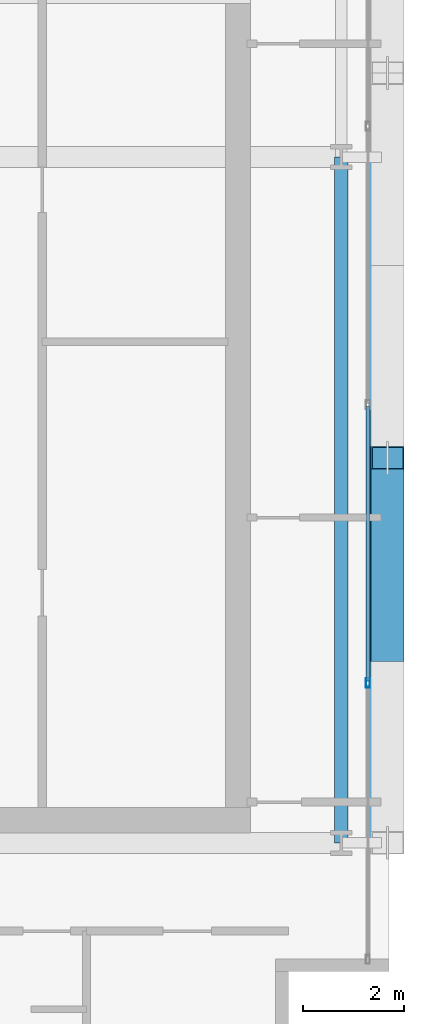
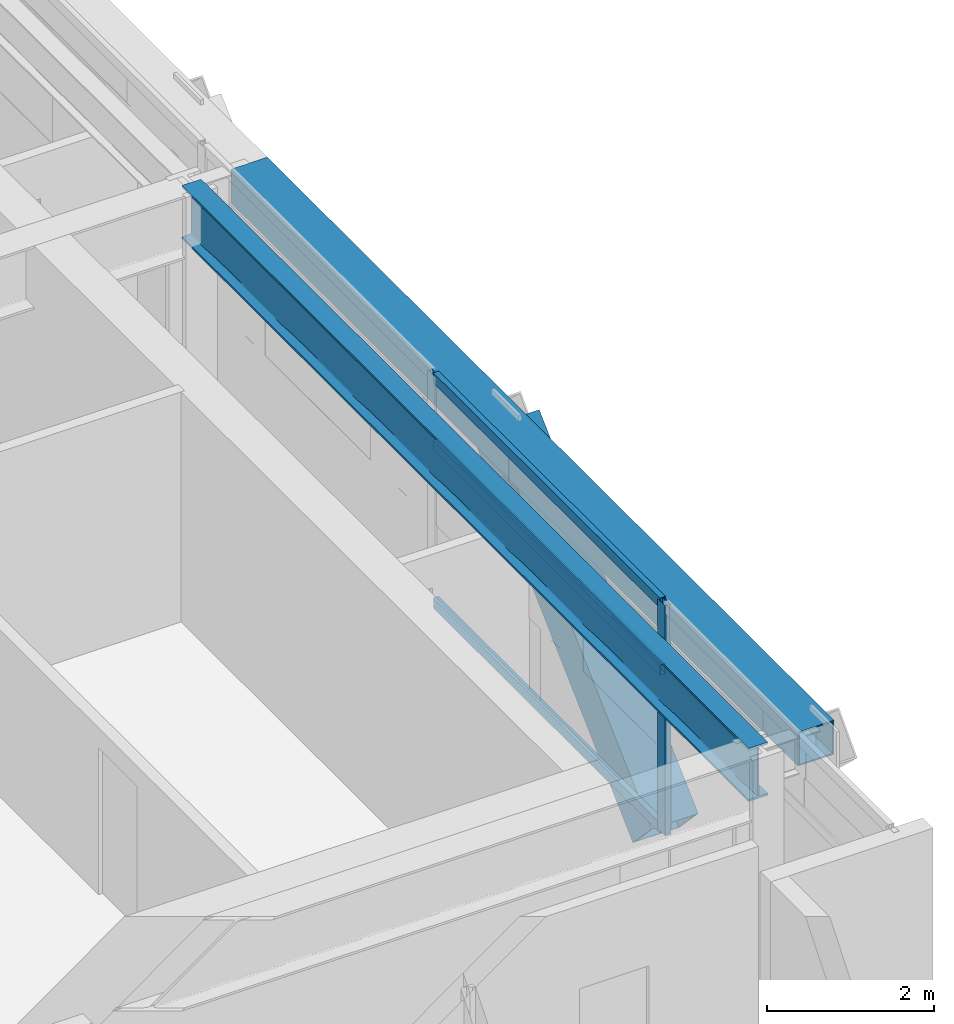
# One storey, part 12 of 32: 5 members, 2 beams, 1 element without a shape of its own.
"""IFC4 building model written with IfcOpenShell, lengths in metres."""

from ifc_helpers import new_model, si_unit, direction, frame, origin, origin_2d, place, context, subcontext, project, spatial, hollow_rectangle, i_section, extrude, source, transform, mapped, material, layer, layer_set, material_profile, profile_set, type_object, element, aggregate, save


model = new_model("IFC4")

# Units and contexts
model_context = context("Model", 3, precision=1e-05, world=origin(), true_north=direction((0.0, 1.0)))
body_context = subcontext(model_context, "Body", "Model", "MODEL_VIEW")
ifc_project = project(units=[si_unit("LENGTHUNIT", "METRE"), si_unit("AREAUNIT", "SQUARE_METRE"), si_unit("VOLUMEUNIT", "CUBIC_METRE"), si_unit("PLANEANGLEUNIT", "RADIAN"), si_unit("MASSUNIT", "GRAM", prefix="KILO")], contexts=[model_context])

# Site, building, storey
site_placement = place(None, origin())
site = spatial("IfcSite", under=ifc_project, at=site_placement, CompositionType="ELEMENT")
building_placement = place(site_placement, origin())
building = spatial("IfcBuilding", under=site, at=building_placement, Name="Ocotamira Hotel", CompositionType="ELEMENT")
storey_placement = place(building_placement, frame((0.0, 0.0, 177.60009765625)))
storey = spatial("IfcBuildingStorey", under=building, at=storey_placement, Name="L44", CompositionType="ELEMENT", Elevation=177.60009765625)

# Beams
ifc_material_1 = material(Name="Steel ASTM A992 Grade 50", Category="steel")
ifc_material_profile_1 = material_profile(ifc_material_1, i_section(OverallWidth=0.26611328125, OverallDepth=0.779052734375, WebThickness=0.0166015625, FlangeThickness=0.030029296875, FilletRadius=0.01806640625, at=origin_2d()), Name="W30X148")
ifc_profile_set_1 = profile_set([ifc_material_profile_1], Name="Steel ASTM A992 Grade 50")
beam_type_1 = type_object("IfcBeamType", Name="BM-GIRD-W30X148", PredefinedType="BEAM", material=ifc_profile_set_1)
shared_shape_1 = source(origin(), body_context, "Body", "SweptSolid", [
    extrude(i_section(OverallWidth=0.26611328125, OverallDepth=0.779052734375, WebThickness=0.0166015625, FlangeThickness=0.030029296875, FilletRadius=0.01806640625, at=origin_2d()), origin(), (0.0, 0.0, 1.0), 13.599853515625),
])
beam_1_placement = place(storey_placement, frame((55.050048828125, 14.550048828125, 2.98046875), z_axis=(0.0, 1.0, 0.0), x_axis=(-1.0, 0.0, 0.0)))
element("IfcBeam", 1, at=beam_1_placement, inside=storey, type_object=beam_type_1, Name="L44 Beam X55.05 Y14.55-28.15", PredefinedType="BEAM", context=body_context, shape_type="MappedRepresentation", body=[
    mapped(shared_shape_1, transform((0.0, 0.0, 0.0), scale=1.0)),
])
ifc_material_2 = material(Name="Steel ASTM A500 Grade C", Category="steel")
ifc_material_profile_2 = material_profile(ifc_material_2, hollow_rectangle(XDim=0.5, YDim=0.5, WallThickness=0.02001953125, at=origin_2d()), Name="HSS500X500X20")
ifc_profile_set_2 = profile_set([ifc_material_profile_2], Name="Steel ASTM A500 Grade C")
beam_type_2 = type_object("IfcBeamType", Name="BM-SPAN-HSS500", PredefinedType="USERDEFINED", material=ifc_profile_set_2)
shared_shape_2 = source(origin(), body_context, "Body", "SweptSolid", [
    extrude(hollow_rectangle(XDim=0.5, YDim=0.5, WallThickness=0.02001953125, at=origin_2d()), origin(), (0.0, 0.0, 1.0), 13.599853515625),
])
beam_2_placement = place(storey_placement, frame((55.85009765625, 14.550048828125, 3.119873046875), z_axis=(0.0, 1.0, 0.0), x_axis=(-1.0, 0.0, 0.0)))
element("IfcBeam", 2, at=beam_2_placement, inside=storey, type_object=beam_type_2, Name="L44 Edge Spandrel E Y14.55-28.15", ObjectType="SPANDREL", PredefinedType="USERDEFINED", context=body_context, shape_type="MappedRepresentation", body=[
    mapped(shared_shape_2, transform((0.0, 0.0, 0.0), scale=1.0)),
])

# Member
ifc_material_3 = material(Name="Pale-metal coated steel ASTM A913 Grade 65", Category="steel")
ifc_material_profile_3 = material_profile(ifc_material_3, hollow_rectangle(XDim=0.64990234375, YDim=0.64990234375, WallThickness=0.02197265625, at=origin_2d()), Name="BOX650X650X22")
ifc_profile_set_3 = profile_set([ifc_material_profile_3], Name="Pale-metal coated steel ASTM A913 Grade 65")
member_type_1 = type_object("IfcMemberType", Name="MEM-EXO-BOX650", PredefinedType="BRACE", material=ifc_profile_set_3)
shared_shape_3 = source(origin(), body_context, "Body", "SweptSolid", [
    extrude(hollow_rectangle(XDim=0.64990234375, YDim=0.64990234375, WallThickness=0.02197265625, at=origin_2d()), origin(), (0.0, 0.0, 1.0), 5.24658203125),
])
member_1_placement = place(storey_placement, frame((55.969970703125, 18.36669921875, -0.47998046875), z_axis=(0.0, 0.72746596067, 0.686143772154), x_axis=(-1.0, 0.0, 0.0)))
element("IfcMember", 3, at=member_1_placement, inside=storey, type_object=member_type_1, Name="L44 Exoskeleton Diagrid E0.2", PredefinedType="BRACE", context=body_context, shape_type="MappedRepresentation", body=[
    mapped(shared_shape_3, transform((0.0, 0.0, 0.0), scale=1.0)),
])

# Curtain wall, members
ifc_material_4 = material(Name="Anodised pale-metal aluminium and solar glass", Category="aluminium")
ifc_layer = layer(ifc_material_4, 0.199951171875)
ifc_layer_set = layer_set([ifc_layer], Name="Anodised pale-metal aluminium and solar glass")
curtain_wall_type = type_object("IfcCurtainWallType", Name="CW-SYS4-Z3", PredefinedType="NOTDEFINED", material=ifc_layer_set)
curtain_wall_placement = place(storey_placement, origin())
curtain_wall = element("IfcCurtainWall", 4, at=curtain_wall_placement, inside=storey, type_object=curtain_wall_type, Name="L44 Curtain Wall CW-4 CW-L44-E", PredefinedType="NOTDEFINED")
ifc_material_5 = material(Name="Anodised pale-metal aluminium 6063-T6", Category="aluminium")
ifc_material_profile_4 = material_profile(ifc_material_5, hollow_rectangle(XDim=0.074951171875, YDim=0.14990234375, WallThickness=0.006103515625, at=origin_2d()), Name="HSS150X75X6")
ifc_profile_set_4 = profile_set([ifc_material_profile_4], Name="Anodised pale-metal aluminium 6063-T6")
member_type_2 = type_object("IfcMemberType", Name="CWT-150X75", PredefinedType="USERDEFINED", material=ifc_profile_set_4)
shared_shape_4 = source(origin(), body_context, "Body", "SweptSolid", [
    extrude(hollow_rectangle(XDim=0.074951171875, YDim=0.14990234375, WallThickness=0.006103515625, at=origin_2d()), origin(), (0.0, 0.0, 1.0), 5.43994140625),
])
member_2_placement = place(storey_placement, frame((55.580078125, 17.760009765625, 0.037353515625), z_axis=(0.0, 1.0, 0.0), x_axis=(-1.0, 0.0, 0.0)))
member_2 = element("IfcMember", 5, at=member_2_placement, type_object=member_type_2, Name="CW-4 transom 2.1", ObjectType="TRANSOM", PredefinedType="USERDEFINED", context=body_context, shape_type="MappedRepresentation", body=[
    mapped(shared_shape_4, transform((0.0, 0.0, 0.0), scale=1.0)),
])
member_3_placement = place(storey_placement, frame((55.580078125, 17.760009765625, 2.349853515625), z_axis=(0.0, 1.0, 0.0), x_axis=(-1.0, 0.0, 0.0)))
member_3 = element("IfcMember", 6, at=member_3_placement, type_object=member_type_2, Name="CW-4 transom 2.2", ObjectType="TRANSOM", PredefinedType="USERDEFINED", context=body_context, shape_type="MappedRepresentation", body=[
    mapped(shared_shape_4, transform((0.0, 0.0, 0.0), scale=1.0)),
])
member_4_placement = place(storey_placement, frame((55.580078125, 17.760009765625, 3.33251953125), z_axis=(0.0, 1.0, 0.0), x_axis=(-1.0, 0.0, 0.0)))
member_4 = element("IfcMember", 7, at=member_4_placement, type_object=member_type_2, Name="CW-4 transom 2.3", ObjectType="TRANSOM", PredefinedType="USERDEFINED", context=body_context, shape_type="MappedRepresentation", body=[
    mapped(shared_shape_4, transform((0.0, 0.0, 0.0), scale=1.0)),
])
ifc_material_profile_5 = material_profile(ifc_material_5, hollow_rectangle(XDim=0.080078125, YDim=0.179931640625, WallThickness=0.006103515625, at=origin_2d()), Name="HSS180X80X6")
ifc_profile_set_5 = profile_set([ifc_material_profile_5], Name="Anodised pale-metal aluminium 6063-T6")
member_type_3 = type_object("IfcMemberType", Name="CWM-180X75", PredefinedType="MULLION", material=ifc_profile_set_5)
shared_shape_5 = source(origin(), body_context, "Body", "SweptSolid", [
    extrude(hollow_rectangle(XDim=0.080078125, YDim=0.179931640625, WallThickness=0.006103515625, at=origin_2d()), origin(), (0.0, 0.0, 1.0), 3.369873046875),
])
member_5_placement = place(storey_placement, frame((55.580078125, 17.719970703125, 0.0), z_axis=(0.0, 0.0, 1.0), x_axis=(-1.0, 0.0, 0.0)))
member_5 = element("IfcMember", 8, at=member_5_placement, type_object=member_type_3, Name="CW-4 mullion 2", PredefinedType="MULLION", context=body_context, shape_type="MappedRepresentation", body=[
    mapped(shared_shape_5, transform((0.0, 0.0, 0.0), scale=1.0)),
])
aggregate(curtain_wall, [member_5, member_2, member_3, member_4])

save(model, "model.ifc")
